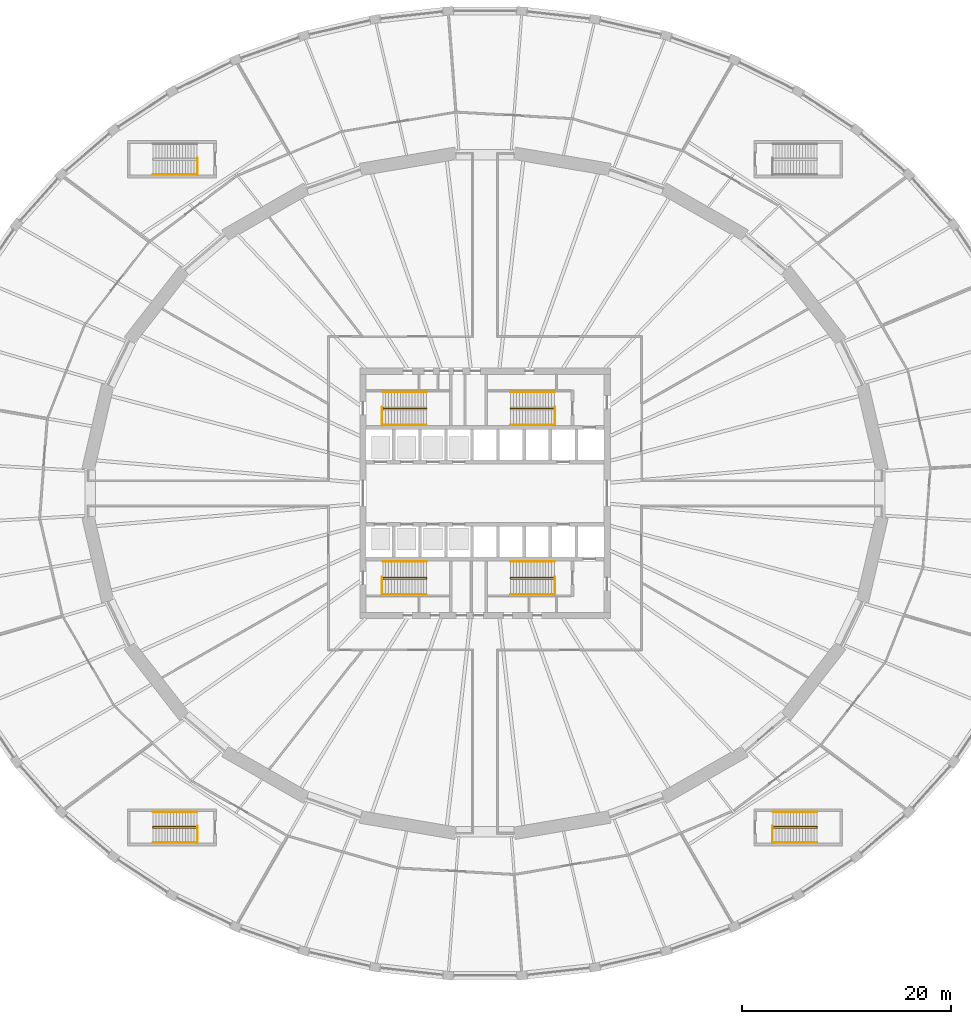
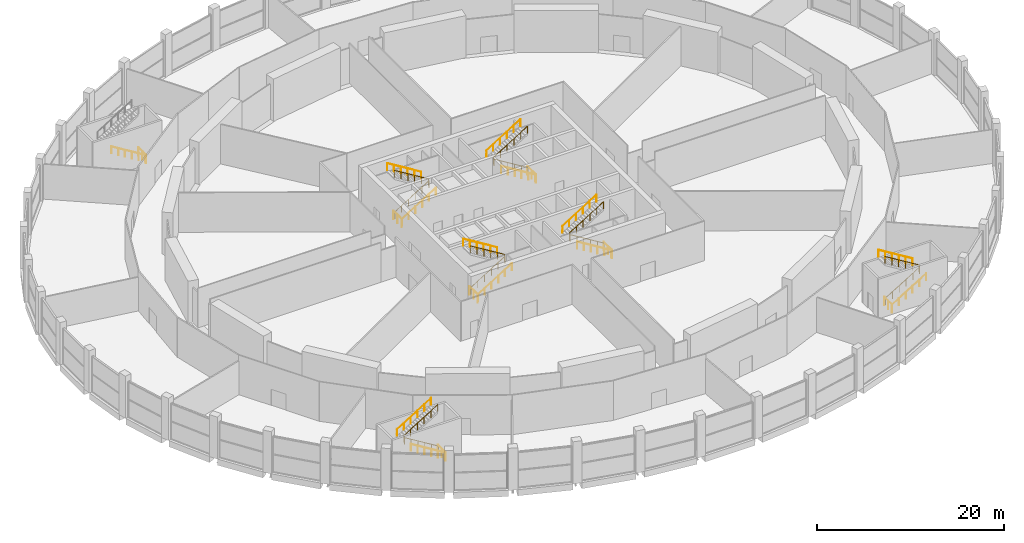
# One storey, part 27 of 29: 26 railings.
"""IFC4 building model written with IfcOpenShell, lengths in metres."""

from ifc_helpers import new_model, si_unit, direction, frame, origin, origin_2d, place, context, subcontext, project, spatial, circle, extrude, material, type_object, element, save


model = new_model("IFC4")

# Units and contexts
model_context = context("Model", 3, precision=1e-05, world=origin(), true_north=direction((0.0, 1.0)))
body_context = subcontext(model_context, "Body", "Model", "MODEL_VIEW")
ifc_project = project(units=[si_unit("LENGTHUNIT", "METRE"), si_unit("AREAUNIT", "SQUARE_METRE"), si_unit("VOLUMEUNIT", "CUBIC_METRE"), si_unit("PLANEANGLEUNIT", "RADIAN"), si_unit("MASSUNIT", "GRAM", prefix="KILO")], contexts=[model_context])

# Site, building, storey
site_placement = place(None, origin())
site = spatial("IfcSite", under=ifc_project, at=site_placement, CompositionType="ELEMENT")
building_placement = place(site_placement, origin())
building = spatial("IfcBuilding", under=site, at=building_placement, Name="Halqa Exchange Tower", CompositionType="ELEMENT")
storey_placement = place(building_placement, frame((0.0, 0.0, 12.5)))
storey = spatial("IfcBuildingStorey", under=building, at=storey_placement, Name="L02", CompositionType="ELEMENT", Elevation=12.5)

# Railings
ifc_material = material(Name="Stainless steel", Category="steel")
railing_type_1 = type_object("IfcRailingType", Name="Stair handrail 900", PredefinedType="HANDRAIL", material=ifc_material)
railing_1_placement = place(storey_placement, frame((-9.800048828125, 8.06005859375, 0.171875)))
element("IfcRailing", 1, at=railing_1_placement, inside=storey, type_object=railing_type_1, Name="Handrail ST1.1", PredefinedType="HANDRAIL", context=body_context, shape_type="SweptSolid", body=[
    extrude(circle(Radius=0.02392578125, at=origin_2d()), frame((0.0, 0.0, 0.8759765625), z_axis=(0.852242915053, 0.0, 0.523146264196), x_axis=(0.0, 1.0, 0.0)), (0.0, 0.0, 1.0), 4.92822265625),
    extrude(circle(Radius=0.02392578125, at=origin_2d()), frame((4.199951171875, 0.0, 3.4541015625), z_axis=(0.0, 0.602897214173, 0.797818869883), x_axis=(-1.0, 0.0, 0.0)), (0.0, 0.0, 1.0), 0.21533203125),
    extrude(circle(Radius=0.02392578125, at=origin_2d()), frame((4.199951171875, 0.1298828125, 3.6259765625), z_axis=(-0.852242915053, 0.0, 0.523146264196), x_axis=(0.0, -1.0, 0.0)), (0.0, 0.0, 1.0), 4.92822265625),
    extrude(circle(Radius=0.02099609375, at=origin_2d()), origin(), (0.0, 0.0, 1.0), 0.851806640625),
    extrude(circle(Radius=0.02099609375, at=origin_2d()), frame((0.840087890625, 0.0, 0.515625)), (0.0, 0.0, 1.0), 0.851806640625),
    extrude(circle(Radius=0.02099609375, at=origin_2d()), frame((1.679931640625, 0.0, 1.03125)), (0.0, 0.0, 1.0), 0.851806640625),
    extrude(circle(Radius=0.02099609375, at=origin_2d()), frame((2.52001953125, 0.0, 1.546875)), (0.0, 0.0, 1.0), 0.851806640625),
    extrude(circle(Radius=0.02099609375, at=origin_2d()), frame((3.35986328125, 0.0, 2.0625)), (0.0, 0.0, 1.0), 0.851806640625),
    extrude(circle(Radius=0.02099609375, at=origin_2d()), frame((4.199951171875, 0.0, 2.578125)), (0.0, 0.0, 1.0), 0.851806640625),
    extrude(circle(Radius=0.02099609375, at=origin_2d()), frame((4.199951171875, 0.1298828125, 2.75)), (0.0, 0.0, 1.0), 0.851806640625),
    extrude(circle(Radius=0.02099609375, at=origin_2d()), frame((3.35986328125, 0.1298828125, 3.265625)), (0.0, 0.0, 1.0), 0.851806640625),
    extrude(circle(Radius=0.02099609375, at=origin_2d()), frame((2.52001953125, 0.1298828125, 3.78125)), (0.0, 0.0, 1.0), 0.851806640625),
    extrude(circle(Radius=0.02099609375, at=origin_2d()), frame((1.679931640625, 0.1298828125, 4.296875)), (0.0, 0.0, 1.0), 0.851806640625),
    extrude(circle(Radius=0.02099609375, at=origin_2d()), frame((0.840087890625, 0.1298828125, 4.8125)), (0.0, 0.0, 1.0), 0.851806640625),
    extrude(circle(Radius=0.02099609375, at=origin_2d()), frame((0.0, 0.1298828125, 5.328125)), (0.0, 0.0, 1.0), 0.851806640625),
])
railing_2_placement = place(storey_placement, frame((-9.800048828125, 6.550048828125, 0.171875)))
element("IfcRailing", 2, at=railing_2_placement, inside=storey, type_object=railing_type_1, Name="Handrail ST1.2", PredefinedType="HANDRAIL", context=body_context, shape_type="SweptSolid", body=[
    extrude(circle(Radius=0.02392578125, at=origin_2d()), frame((0.0, 0.0, 0.8759765625), z_axis=(0.852242915053, 0.0, 0.523146264196), x_axis=(0.0, 1.0, 0.0)), (0.0, 0.0, 1.0), 4.92822265625),
    extrude(circle(Radius=0.02099609375, at=origin_2d()), origin(), (0.0, 0.0, 1.0), 0.851806640625),
    extrude(circle(Radius=0.02099609375, at=origin_2d()), frame((0.840087890625, 0.0, 0.515625)), (0.0, 0.0, 1.0), 0.851806640625),
    extrude(circle(Radius=0.02099609375, at=origin_2d()), frame((1.679931640625, 0.0, 1.03125)), (0.0, 0.0, 1.0), 0.851806640625),
    extrude(circle(Radius=0.02099609375, at=origin_2d()), frame((2.52001953125, 0.0, 1.546875)), (0.0, 0.0, 1.0), 0.851806640625),
    extrude(circle(Radius=0.02099609375, at=origin_2d()), frame((3.35986328125, 0.0, 2.0625)), (0.0, 0.0, 1.0), 0.851806640625),
    extrude(circle(Radius=0.02099609375, at=origin_2d()), frame((4.199951171875, 0.0, 2.578125)), (0.0, 0.0, 1.0), 0.851806640625),
])
railing_3_placement = place(storey_placement, frame((-5.60009765625, 9.699951171875, 2.921875)))
element("IfcRailing", 3, at=railing_3_placement, inside=storey, type_object=railing_type_1, Name="Handrail ST1.3", PredefinedType="HANDRAIL", context=body_context, shape_type="SweptSolid", body=[
    extrude(circle(Radius=0.02392578125, at=origin_2d()), frame((0.0, 0.0, 0.8759765625), z_axis=(-0.852242915053, 0.0, 0.523146264196), x_axis=(0.0, -1.0, 0.0)), (0.0, 0.0, 1.0), 4.92822265625),
    extrude(circle(Radius=0.02099609375, at=origin_2d()), origin(), (0.0, 0.0, 1.0), 0.851806640625),
    extrude(circle(Radius=0.02099609375, at=origin_2d()), frame((-0.840087890625, 0.0, 0.515625)), (0.0, 0.0, 1.0), 0.851806640625),
    extrude(circle(Radius=0.02099609375, at=origin_2d()), frame((-1.679931640625, 0.0, 1.03125)), (0.0, 0.0, 1.0), 0.851806640625),
    extrude(circle(Radius=0.02099609375, at=origin_2d()), frame((-2.52001953125, 0.0, 1.546875)), (0.0, 0.0, 1.0), 0.851806640625),
    extrude(circle(Radius=0.02099609375, at=origin_2d()), frame((-3.35986328125, 0.0, 2.0625)), (0.0, 0.0, 1.0), 0.851806640625),
    extrude(circle(Radius=0.02099609375, at=origin_2d()), frame((-4.199951171875, 0.0, 2.578125)), (0.0, 0.0, 1.0), 0.851806640625),
])
railing_4_placement = place(storey_placement, frame((6.64990234375, 8.06005859375, 0.171875)))
element("IfcRailing", 4, at=railing_4_placement, inside=storey, type_object=railing_type_1, Name="Handrail ST2.1", PredefinedType="HANDRAIL", context=body_context, shape_type="SweptSolid", body=[
    extrude(circle(Radius=0.02392578125, at=origin_2d()), frame((0.0, 0.0, 0.8759765625), z_axis=(-0.852242915053, 0.0, 0.523146264196), x_axis=(0.0, -1.0, 0.0)), (0.0, 0.0, 1.0), 4.92822265625),
    extrude(circle(Radius=0.02392578125, at=origin_2d()), frame((-4.199951171875, 0.0, 3.4541015625), z_axis=(0.0, 0.602897214173, 0.797818869883), x_axis=(-1.0, 0.0, 0.0)), (0.0, 0.0, 1.0), 0.21533203125),
    extrude(circle(Radius=0.02392578125, at=origin_2d()), frame((-4.199951171875, 0.1298828125, 3.6259765625), z_axis=(0.852242915053, 0.0, 0.523146264196), x_axis=(0.0, 1.0, 0.0)), (0.0, 0.0, 1.0), 4.92822265625),
    extrude(circle(Radius=0.02099609375, at=origin_2d()), origin(), (0.0, 0.0, 1.0), 0.851806640625),
    extrude(circle(Radius=0.02099609375, at=origin_2d()), frame((-0.840087890625, 0.0, 0.515625)), (0.0, 0.0, 1.0), 0.851806640625),
    extrude(circle(Radius=0.02099609375, at=origin_2d()), frame((-1.679931640625, 0.0, 1.03125)), (0.0, 0.0, 1.0), 0.851806640625),
    extrude(circle(Radius=0.02099609375, at=origin_2d()), frame((-2.52001953125, 0.0, 1.546875)), (0.0, 0.0, 1.0), 0.851806640625),
    extrude(circle(Radius=0.02099609375, at=origin_2d()), frame((-3.35986328125, 0.0, 2.0625)), (0.0, 0.0, 1.0), 0.851806640625),
    extrude(circle(Radius=0.02099609375, at=origin_2d()), frame((-4.199951171875, 0.0, 2.578125)), (0.0, 0.0, 1.0), 0.851806640625),
    extrude(circle(Radius=0.02099609375, at=origin_2d()), frame((-4.199951171875, 0.1298828125, 2.75)), (0.0, 0.0, 1.0), 0.851806640625),
    extrude(circle(Radius=0.02099609375, at=origin_2d()), frame((-3.35986328125, 0.1298828125, 3.265625)), (0.0, 0.0, 1.0), 0.851806640625),
    extrude(circle(Radius=0.02099609375, at=origin_2d()), frame((-2.52001953125, 0.1298828125, 3.78125)), (0.0, 0.0, 1.0), 0.851806640625),
    extrude(circle(Radius=0.02099609375, at=origin_2d()), frame((-1.679931640625, 0.1298828125, 4.296875)), (0.0, 0.0, 1.0), 0.851806640625),
    extrude(circle(Radius=0.02099609375, at=origin_2d()), frame((-0.840087890625, 0.1298828125, 4.8125)), (0.0, 0.0, 1.0), 0.851806640625),
    extrude(circle(Radius=0.02099609375, at=origin_2d()), frame((0.0, 0.1298828125, 5.328125)), (0.0, 0.0, 1.0), 0.851806640625),
])
railing_5_placement = place(storey_placement, frame((6.64990234375, 6.550048828125, 0.171875)))
element("IfcRailing", 5, at=railing_5_placement, inside=storey, type_object=railing_type_1, Name="Handrail ST2.2", PredefinedType="HANDRAIL", context=body_context, shape_type="SweptSolid", body=[
    extrude(circle(Radius=0.02392578125, at=origin_2d()), frame((0.0, 0.0, 0.8759765625), z_axis=(-0.852242915053, 0.0, 0.523146264196), x_axis=(0.0, -1.0, 0.0)), (0.0, 0.0, 1.0), 4.92822265625),
    extrude(circle(Radius=0.02099609375, at=origin_2d()), origin(), (0.0, 0.0, 1.0), 0.851806640625),
    extrude(circle(Radius=0.02099609375, at=origin_2d()), frame((-0.840087890625, 0.0, 0.515625)), (0.0, 0.0, 1.0), 0.851806640625),
    extrude(circle(Radius=0.02099609375, at=origin_2d()), frame((-1.679931640625, 0.0, 1.03125)), (0.0, 0.0, 1.0), 0.851806640625),
    extrude(circle(Radius=0.02099609375, at=origin_2d()), frame((-2.52001953125, 0.0, 1.546875)), (0.0, 0.0, 1.0), 0.851806640625),
    extrude(circle(Radius=0.02099609375, at=origin_2d()), frame((-3.35986328125, 0.0, 2.0625)), (0.0, 0.0, 1.0), 0.851806640625),
    extrude(circle(Radius=0.02099609375, at=origin_2d()), frame((-4.199951171875, 0.0, 2.578125)), (0.0, 0.0, 1.0), 0.851806640625),
])
railing_6_placement = place(storey_placement, frame((2.449951171875, 9.699951171875, 2.921875)))
element("IfcRailing", 6, at=railing_6_placement, inside=storey, type_object=railing_type_1, Name="Handrail ST2.3", PredefinedType="HANDRAIL", context=body_context, shape_type="SweptSolid", body=[
    extrude(circle(Radius=0.02392578125, at=origin_2d()), frame((0.0, 0.0, 0.8759765625), z_axis=(0.852242915053, 0.0, 0.523146264196), x_axis=(0.0, 1.0, 0.0)), (0.0, 0.0, 1.0), 4.92822265625),
    extrude(circle(Radius=0.02099609375, at=origin_2d()), origin(), (0.0, 0.0, 1.0), 0.851806640625),
    extrude(circle(Radius=0.02099609375, at=origin_2d()), frame((0.840087890625, 0.0, 0.515625)), (0.0, 0.0, 1.0), 0.851806640625),
    extrude(circle(Radius=0.02099609375, at=origin_2d()), frame((1.679931640625, 0.0, 1.03125)), (0.0, 0.0, 1.0), 0.851806640625),
    extrude(circle(Radius=0.02099609375, at=origin_2d()), frame((2.52001953125, 0.0, 1.546875)), (0.0, 0.0, 1.0), 0.851806640625),
    extrude(circle(Radius=0.02099609375, at=origin_2d()), frame((3.35986328125, 0.0, 2.0625)), (0.0, 0.0, 1.0), 0.851806640625),
    extrude(circle(Radius=0.02099609375, at=origin_2d()), frame((4.199951171875, 0.0, 2.578125)), (0.0, 0.0, 1.0), 0.851806640625),
])
railing_7_placement = place(storey_placement, frame((-9.800048828125, -8.18994140625, 0.171875)))
element("IfcRailing", 7, at=railing_7_placement, inside=storey, type_object=railing_type_1, Name="Handrail ST3.1", PredefinedType="HANDRAIL", context=body_context, shape_type="SweptSolid", body=[
    extrude(circle(Radius=0.02392578125, at=origin_2d()), frame((0.0, 0.0, 0.8759765625), z_axis=(0.852242915053, 0.0, 0.523146264196), x_axis=(0.0, 1.0, 0.0)), (0.0, 0.0, 1.0), 4.92822265625),
    extrude(circle(Radius=0.02392578125, at=origin_2d()), frame((4.199951171875, 0.0, 3.4541015625), z_axis=(0.0, 0.602897214173, 0.797818869883), x_axis=(-1.0, 0.0, 0.0)), (0.0, 0.0, 1.0), 0.21533203125),
    extrude(circle(Radius=0.02392578125, at=origin_2d()), frame((4.199951171875, 0.1298828125, 3.6259765625), z_axis=(-0.852242915053, 0.0, 0.523146264196), x_axis=(0.0, -1.0, 0.0)), (0.0, 0.0, 1.0), 4.92822265625),
    extrude(circle(Radius=0.02099609375, at=origin_2d()), origin(), (0.0, 0.0, 1.0), 0.851806640625),
    extrude(circle(Radius=0.02099609375, at=origin_2d()), frame((0.840087890625, 0.0, 0.515625)), (0.0, 0.0, 1.0), 0.851806640625),
    extrude(circle(Radius=0.02099609375, at=origin_2d()), frame((1.679931640625, 0.0, 1.03125)), (0.0, 0.0, 1.0), 0.851806640625),
    extrude(circle(Radius=0.02099609375, at=origin_2d()), frame((2.52001953125, 0.0, 1.546875)), (0.0, 0.0, 1.0), 0.851806640625),
    extrude(circle(Radius=0.02099609375, at=origin_2d()), frame((3.35986328125, 0.0, 2.0625)), (0.0, 0.0, 1.0), 0.851806640625),
    extrude(circle(Radius=0.02099609375, at=origin_2d()), frame((4.199951171875, 0.0, 2.578125)), (0.0, 0.0, 1.0), 0.851806640625),
    extrude(circle(Radius=0.02099609375, at=origin_2d()), frame((4.199951171875, 0.1298828125, 2.75)), (0.0, 0.0, 1.0), 0.851806640625),
    extrude(circle(Radius=0.02099609375, at=origin_2d()), frame((3.35986328125, 0.1298828125, 3.265625)), (0.0, 0.0, 1.0), 0.851806640625),
    extrude(circle(Radius=0.02099609375, at=origin_2d()), frame((2.52001953125, 0.1298828125, 3.78125)), (0.0, 0.0, 1.0), 0.851806640625),
    extrude(circle(Radius=0.02099609375, at=origin_2d()), frame((1.679931640625, 0.1298828125, 4.296875)), (0.0, 0.0, 1.0), 0.851806640625),
    extrude(circle(Radius=0.02099609375, at=origin_2d()), frame((0.840087890625, 0.1298828125, 4.8125)), (0.0, 0.0, 1.0), 0.851806640625),
    extrude(circle(Radius=0.02099609375, at=origin_2d()), frame((0.0, 0.1298828125, 5.328125)), (0.0, 0.0, 1.0), 0.851806640625),
])
railing_8_placement = place(storey_placement, frame((-9.800048828125, -9.699951171875, 0.171875)))
element("IfcRailing", 8, at=railing_8_placement, inside=storey, type_object=railing_type_1, Name="Handrail ST3.2", PredefinedType="HANDRAIL", context=body_context, shape_type="SweptSolid", body=[
    extrude(circle(Radius=0.02392578125, at=origin_2d()), frame((0.0, 0.0, 0.8759765625), z_axis=(0.852242915053, 0.0, 0.523146264196), x_axis=(0.0, 1.0, 0.0)), (0.0, 0.0, 1.0), 4.92822265625),
    extrude(circle(Radius=0.02099609375, at=origin_2d()), origin(), (0.0, 0.0, 1.0), 0.851806640625),
    extrude(circle(Radius=0.02099609375, at=origin_2d()), frame((0.840087890625, 0.0, 0.515625)), (0.0, 0.0, 1.0), 0.851806640625),
    extrude(circle(Radius=0.02099609375, at=origin_2d()), frame((1.679931640625, 0.0, 1.03125)), (0.0, 0.0, 1.0), 0.851806640625),
    extrude(circle(Radius=0.02099609375, at=origin_2d()), frame((2.52001953125, 0.0, 1.546875)), (0.0, 0.0, 1.0), 0.851806640625),
    extrude(circle(Radius=0.02099609375, at=origin_2d()), frame((3.35986328125, 0.0, 2.0625)), (0.0, 0.0, 1.0), 0.851806640625),
    extrude(circle(Radius=0.02099609375, at=origin_2d()), frame((4.199951171875, 0.0, 2.578125)), (0.0, 0.0, 1.0), 0.851806640625),
])
railing_9_placement = place(storey_placement, frame((-5.60009765625, -6.550048828125, 2.921875)))
element("IfcRailing", 9, at=railing_9_placement, inside=storey, type_object=railing_type_1, Name="Handrail ST3.3", PredefinedType="HANDRAIL", context=body_context, shape_type="SweptSolid", body=[
    extrude(circle(Radius=0.02392578125, at=origin_2d()), frame((0.0, 0.0, 0.8759765625), z_axis=(-0.852242915053, 0.0, 0.523146264196), x_axis=(0.0, -1.0, 0.0)), (0.0, 0.0, 1.0), 4.92822265625),
    extrude(circle(Radius=0.02099609375, at=origin_2d()), origin(), (0.0, 0.0, 1.0), 0.851806640625),
    extrude(circle(Radius=0.02099609375, at=origin_2d()), frame((-0.840087890625, 0.0, 0.515625)), (0.0, 0.0, 1.0), 0.851806640625),
    extrude(circle(Radius=0.02099609375, at=origin_2d()), frame((-1.679931640625, 0.0, 1.03125)), (0.0, 0.0, 1.0), 0.851806640625),
    extrude(circle(Radius=0.02099609375, at=origin_2d()), frame((-2.52001953125, 0.0, 1.546875)), (0.0, 0.0, 1.0), 0.851806640625),
    extrude(circle(Radius=0.02099609375, at=origin_2d()), frame((-3.35986328125, 0.0, 2.0625)), (0.0, 0.0, 1.0), 0.851806640625),
    extrude(circle(Radius=0.02099609375, at=origin_2d()), frame((-4.199951171875, 0.0, 2.578125)), (0.0, 0.0, 1.0), 0.851806640625),
])
railing_10_placement = place(storey_placement, frame((6.64990234375, -8.18994140625, 0.171875)))
element("IfcRailing", 10, at=railing_10_placement, inside=storey, type_object=railing_type_1, Name="Handrail ST4.1", PredefinedType="HANDRAIL", context=body_context, shape_type="SweptSolid", body=[
    extrude(circle(Radius=0.02392578125, at=origin_2d()), frame((0.0, 0.0, 0.8759765625), z_axis=(-0.852242915053, 0.0, 0.523146264196), x_axis=(0.0, -1.0, 0.0)), (0.0, 0.0, 1.0), 4.92822265625),
    extrude(circle(Radius=0.02392578125, at=origin_2d()), frame((-4.199951171875, 0.0, 3.4541015625), z_axis=(0.0, 0.602897214173, 0.797818869883), x_axis=(-1.0, 0.0, 0.0)), (0.0, 0.0, 1.0), 0.21533203125),
    extrude(circle(Radius=0.02392578125, at=origin_2d()), frame((-4.199951171875, 0.1298828125, 3.6259765625), z_axis=(0.852242915053, 0.0, 0.523146264196), x_axis=(0.0, 1.0, 0.0)), (0.0, 0.0, 1.0), 4.92822265625),
    extrude(circle(Radius=0.02099609375, at=origin_2d()), origin(), (0.0, 0.0, 1.0), 0.851806640625),
    extrude(circle(Radius=0.02099609375, at=origin_2d()), frame((-0.840087890625, 0.0, 0.515625)), (0.0, 0.0, 1.0), 0.851806640625),
    extrude(circle(Radius=0.02099609375, at=origin_2d()), frame((-1.679931640625, 0.0, 1.03125)), (0.0, 0.0, 1.0), 0.851806640625),
    extrude(circle(Radius=0.02099609375, at=origin_2d()), frame((-2.52001953125, 0.0, 1.546875)), (0.0, 0.0, 1.0), 0.851806640625),
    extrude(circle(Radius=0.02099609375, at=origin_2d()), frame((-3.35986328125, 0.0, 2.0625)), (0.0, 0.0, 1.0), 0.851806640625),
    extrude(circle(Radius=0.02099609375, at=origin_2d()), frame((-4.199951171875, 0.0, 2.578125)), (0.0, 0.0, 1.0), 0.851806640625),
    extrude(circle(Radius=0.02099609375, at=origin_2d()), frame((-4.199951171875, 0.1298828125, 2.75)), (0.0, 0.0, 1.0), 0.851806640625),
    extrude(circle(Radius=0.02099609375, at=origin_2d()), frame((-3.35986328125, 0.1298828125, 3.265625)), (0.0, 0.0, 1.0), 0.851806640625),
    extrude(circle(Radius=0.02099609375, at=origin_2d()), frame((-2.52001953125, 0.1298828125, 3.78125)), (0.0, 0.0, 1.0), 0.851806640625),
    extrude(circle(Radius=0.02099609375, at=origin_2d()), frame((-1.679931640625, 0.1298828125, 4.296875)), (0.0, 0.0, 1.0), 0.851806640625),
    extrude(circle(Radius=0.02099609375, at=origin_2d()), frame((-0.840087890625, 0.1298828125, 4.8125)), (0.0, 0.0, 1.0), 0.851806640625),
    extrude(circle(Radius=0.02099609375, at=origin_2d()), frame((0.0, 0.1298828125, 5.328125)), (0.0, 0.0, 1.0), 0.851806640625),
])
railing_11_placement = place(storey_placement, frame((6.64990234375, -9.699951171875, 0.171875)))
element("IfcRailing", 11, at=railing_11_placement, inside=storey, type_object=railing_type_1, Name="Handrail ST4.2", PredefinedType="HANDRAIL", context=body_context, shape_type="SweptSolid", body=[
    extrude(circle(Radius=0.02392578125, at=origin_2d()), frame((0.0, 0.0, 0.8759765625), z_axis=(-0.852242915053, 0.0, 0.523146264196), x_axis=(0.0, -1.0, 0.0)), (0.0, 0.0, 1.0), 4.92822265625),
    extrude(circle(Radius=0.02099609375, at=origin_2d()), origin(), (0.0, 0.0, 1.0), 0.851806640625),
    extrude(circle(Radius=0.02099609375, at=origin_2d()), frame((-0.840087890625, 0.0, 0.515625)), (0.0, 0.0, 1.0), 0.851806640625),
    extrude(circle(Radius=0.02099609375, at=origin_2d()), frame((-1.679931640625, 0.0, 1.03125)), (0.0, 0.0, 1.0), 0.851806640625),
    extrude(circle(Radius=0.02099609375, at=origin_2d()), frame((-2.52001953125, 0.0, 1.546875)), (0.0, 0.0, 1.0), 0.851806640625),
    extrude(circle(Radius=0.02099609375, at=origin_2d()), frame((-3.35986328125, 0.0, 2.0625)), (0.0, 0.0, 1.0), 0.851806640625),
    extrude(circle(Radius=0.02099609375, at=origin_2d()), frame((-4.199951171875, 0.0, 2.578125)), (0.0, 0.0, 1.0), 0.851806640625),
])
railing_12_placement = place(storey_placement, frame((2.449951171875, -6.550048828125, 2.921875)))
element("IfcRailing", 12, at=railing_12_placement, inside=storey, type_object=railing_type_1, Name="Handrail ST4.3", PredefinedType="HANDRAIL", context=body_context, shape_type="SweptSolid", body=[
    extrude(circle(Radius=0.02392578125, at=origin_2d()), frame((0.0, 0.0, 0.8759765625), z_axis=(0.852242915053, 0.0, 0.523146264196), x_axis=(0.0, 1.0, 0.0)), (0.0, 0.0, 1.0), 4.92822265625),
    extrude(circle(Radius=0.02099609375, at=origin_2d()), origin(), (0.0, 0.0, 1.0), 0.851806640625),
    extrude(circle(Radius=0.02099609375, at=origin_2d()), frame((0.840087890625, 0.0, 0.515625)), (0.0, 0.0, 1.0), 0.851806640625),
    extrude(circle(Radius=0.02099609375, at=origin_2d()), frame((1.679931640625, 0.0, 1.03125)), (0.0, 0.0, 1.0), 0.851806640625),
    extrude(circle(Radius=0.02099609375, at=origin_2d()), frame((2.52001953125, 0.0, 1.546875)), (0.0, 0.0, 1.0), 0.851806640625),
    extrude(circle(Radius=0.02099609375, at=origin_2d()), frame((3.35986328125, 0.0, 2.0625)), (0.0, 0.0, 1.0), 0.851806640625),
    extrude(circle(Radius=0.02099609375, at=origin_2d()), frame((4.199951171875, 0.0, 2.578125)), (0.0, 0.0, 1.0), 0.851806640625),
])
railing_13_placement = place(storey_placement, frame((27.60009765625, -32.06494140625, 0.171875)))
element("IfcRailing", 13, at=railing_13_placement, inside=storey, type_object=railing_type_1, Name="Handrail PS2.1", PredefinedType="HANDRAIL", context=body_context, shape_type="SweptSolid", body=[
    extrude(circle(Radius=0.02392578125, at=origin_2d()), frame((0.0, 0.0, 0.8759765625), z_axis=(0.852242915053, 0.0, 0.523146264196), x_axis=(0.0, 1.0, 0.0)), (0.0, 0.0, 1.0), 4.92822265625),
    extrude(circle(Radius=0.02392578125, at=origin_2d()), frame((4.199951171875, 0.0, 3.4541015625), z_axis=(0.0, 0.602897214173, 0.797818869883), x_axis=(-1.0, 0.0, 0.0)), (0.0, 0.0, 1.0), 0.21533203125),
    extrude(circle(Radius=0.02392578125, at=origin_2d()), frame((4.199951171875, 0.1298828125, 3.6259765625), z_axis=(-0.852242915053, 0.0, 0.523146264196), x_axis=(0.0, -1.0, 0.0)), (0.0, 0.0, 1.0), 4.92822265625),
    extrude(circle(Radius=0.02099609375, at=origin_2d()), origin(), (0.0, 0.0, 1.0), 0.851806640625),
    extrude(circle(Radius=0.02099609375, at=origin_2d()), frame((0.840087890625, 0.0, 0.515625)), (0.0, 0.0, 1.0), 0.851806640625),
    extrude(circle(Radius=0.02099609375, at=origin_2d()), frame((1.679931640625, 0.0, 1.03125)), (0.0, 0.0, 1.0), 0.851806640625),
    extrude(circle(Radius=0.02099609375, at=origin_2d()), frame((2.52001953125, 0.0, 1.546875)), (0.0, 0.0, 1.0), 0.851806640625),
    extrude(circle(Radius=0.02099609375, at=origin_2d()), frame((3.35986328125, 0.0, 2.0625)), (0.0, 0.0, 1.0), 0.851806640625),
    extrude(circle(Radius=0.02099609375, at=origin_2d()), frame((4.199951171875, 0.0, 2.578125)), (0.0, 0.0, 1.0), 0.851806640625),
    extrude(circle(Radius=0.02099609375, at=origin_2d()), frame((4.199951171875, 0.1298828125, 2.75)), (0.0, 0.0, 1.0), 0.851806640625),
    extrude(circle(Radius=0.02099609375, at=origin_2d()), frame((3.35986328125, 0.1298828125, 3.265625)), (0.0, 0.0, 1.0), 0.851806640625),
    extrude(circle(Radius=0.02099609375, at=origin_2d()), frame((2.52001953125, 0.1298828125, 3.78125)), (0.0, 0.0, 1.0), 0.851806640625),
    extrude(circle(Radius=0.02099609375, at=origin_2d()), frame((1.679931640625, 0.1298828125, 4.296875)), (0.0, 0.0, 1.0), 0.851806640625),
    extrude(circle(Radius=0.02099609375, at=origin_2d()), frame((0.840087890625, 0.1298828125, 4.8125)), (0.0, 0.0, 1.0), 0.851806640625),
    extrude(circle(Radius=0.02099609375, at=origin_2d()), frame((0.0, 0.1298828125, 5.328125)), (0.0, 0.0, 1.0), 0.851806640625),
])
railing_14_placement = place(storey_placement, frame((27.60009765625, -33.47509765625, 0.171875)))
element("IfcRailing", 14, at=railing_14_placement, inside=storey, type_object=railing_type_1, Name="Handrail PS2.2", PredefinedType="HANDRAIL", context=body_context, shape_type="SweptSolid", body=[
    extrude(circle(Radius=0.02392578125, at=origin_2d()), frame((0.0, 0.0, 0.8759765625), z_axis=(0.852242915053, 0.0, 0.523146264196), x_axis=(0.0, 1.0, 0.0)), (0.0, 0.0, 1.0), 4.92822265625),
    extrude(circle(Radius=0.02099609375, at=origin_2d()), origin(), (0.0, 0.0, 1.0), 0.851806640625),
    extrude(circle(Radius=0.02099609375, at=origin_2d()), frame((0.840087890625, 0.0, 0.515625)), (0.0, 0.0, 1.0), 0.851806640625),
    extrude(circle(Radius=0.02099609375, at=origin_2d()), frame((1.679931640625, 0.0, 1.03125)), (0.0, 0.0, 1.0), 0.851806640625),
    extrude(circle(Radius=0.02099609375, at=origin_2d()), frame((2.52001953125, 0.0, 1.546875)), (0.0, 0.0, 1.0), 0.851806640625),
    extrude(circle(Radius=0.02099609375, at=origin_2d()), frame((3.35986328125, 0.0, 2.0625)), (0.0, 0.0, 1.0), 0.851806640625),
    extrude(circle(Radius=0.02099609375, at=origin_2d()), frame((4.199951171875, 0.0, 2.578125)), (0.0, 0.0, 1.0), 0.851806640625),
])
for number, where, name in (
    (15, (31.800048828125, -30.52490234375, 2.921875), "Handrail PS2.3"),
    (16, (-27.60009765625, 30.52490234375, 0.171875), "Handrail PS3.2"),
):
    element("IfcRailing", number, at=place(storey_placement, frame(where)), inside=storey, type_object=railing_type_1, Name=name, PredefinedType="HANDRAIL", context=body_context, shape_type="SweptSolid", body=[
        extrude(circle(Radius=0.02392578125, at=origin_2d()), frame((0.0, 0.0, 0.8759765625), z_axis=(-0.852242915053, 0.0, 0.523146264196), x_axis=(0.0, -1.0, 0.0)), (0.0, 0.0, 1.0), 4.92822265625),
        extrude(circle(Radius=0.02099609375, at=origin_2d()), origin(), (0.0, 0.0, 1.0), 0.851806640625),
        extrude(circle(Radius=0.02099609375, at=origin_2d()), frame((-0.840087890625, 0.0, 0.515625)), (0.0, 0.0, 1.0), 0.851806640625),
        extrude(circle(Radius=0.02099609375, at=origin_2d()), frame((-1.679931640625, 0.0, 1.03125)), (0.0, 0.0, 1.0), 0.851806640625),
        extrude(circle(Radius=0.02099609375, at=origin_2d()), frame((-2.52001953125, 0.0, 1.546875)), (0.0, 0.0, 1.0), 0.851806640625),
        extrude(circle(Radius=0.02099609375, at=origin_2d()), frame((-3.35986328125, 0.0, 2.0625)), (0.0, 0.0, 1.0), 0.851806640625),
        extrude(circle(Radius=0.02099609375, at=origin_2d()), frame((-4.199951171875, 0.0, 2.578125)), (0.0, 0.0, 1.0), 0.851806640625),
    ])
railing_15_placement = place(storey_placement, frame((-27.60009765625, -32.06494140625, 0.171875)))
element("IfcRailing", 17, at=railing_15_placement, inside=storey, type_object=railing_type_1, Name="Handrail PS4.1", PredefinedType="HANDRAIL", context=body_context, shape_type="SweptSolid", body=[
    extrude(circle(Radius=0.02392578125, at=origin_2d()), frame((0.0, 0.0, 0.8759765625), z_axis=(-0.852242915053, 0.0, 0.523146264196), x_axis=(0.0, -1.0, 0.0)), (0.0, 0.0, 1.0), 4.92822265625),
    extrude(circle(Radius=0.02392578125, at=origin_2d()), frame((-4.199951171875, 0.0, 3.4541015625), z_axis=(0.0, 0.602897214173, 0.797818869883), x_axis=(-1.0, 0.0, 0.0)), (0.0, 0.0, 1.0), 0.21533203125),
    extrude(circle(Radius=0.02392578125, at=origin_2d()), frame((-4.199951171875, 0.1298828125, 3.6259765625), z_axis=(0.852242915053, 0.0, 0.523146264196), x_axis=(0.0, 1.0, 0.0)), (0.0, 0.0, 1.0), 4.92822265625),
    extrude(circle(Radius=0.02099609375, at=origin_2d()), origin(), (0.0, 0.0, 1.0), 0.851806640625),
    extrude(circle(Radius=0.02099609375, at=origin_2d()), frame((-0.840087890625, 0.0, 0.515625)), (0.0, 0.0, 1.0), 0.851806640625),
    extrude(circle(Radius=0.02099609375, at=origin_2d()), frame((-1.679931640625, 0.0, 1.03125)), (0.0, 0.0, 1.0), 0.851806640625),
    extrude(circle(Radius=0.02099609375, at=origin_2d()), frame((-2.52001953125, 0.0, 1.546875)), (0.0, 0.0, 1.0), 0.851806640625),
    extrude(circle(Radius=0.02099609375, at=origin_2d()), frame((-3.35986328125, 0.0, 2.0625)), (0.0, 0.0, 1.0), 0.851806640625),
    extrude(circle(Radius=0.02099609375, at=origin_2d()), frame((-4.199951171875, 0.0, 2.578125)), (0.0, 0.0, 1.0), 0.851806640625),
    extrude(circle(Radius=0.02099609375, at=origin_2d()), frame((-4.199951171875, 0.1298828125, 2.75)), (0.0, 0.0, 1.0), 0.851806640625),
    extrude(circle(Radius=0.02099609375, at=origin_2d()), frame((-3.35986328125, 0.1298828125, 3.265625)), (0.0, 0.0, 1.0), 0.851806640625),
    extrude(circle(Radius=0.02099609375, at=origin_2d()), frame((-2.52001953125, 0.1298828125, 3.78125)), (0.0, 0.0, 1.0), 0.851806640625),
    extrude(circle(Radius=0.02099609375, at=origin_2d()), frame((-1.679931640625, 0.1298828125, 4.296875)), (0.0, 0.0, 1.0), 0.851806640625),
    extrude(circle(Radius=0.02099609375, at=origin_2d()), frame((-0.840087890625, 0.1298828125, 4.8125)), (0.0, 0.0, 1.0), 0.851806640625),
    extrude(circle(Radius=0.02099609375, at=origin_2d()), frame((0.0, 0.1298828125, 5.328125)), (0.0, 0.0, 1.0), 0.851806640625),
])
railing_16_placement = place(storey_placement, frame((-27.60009765625, -33.47509765625, 0.171875)))
element("IfcRailing", 18, at=railing_16_placement, inside=storey, type_object=railing_type_1, Name="Handrail PS4.2", PredefinedType="HANDRAIL", context=body_context, shape_type="SweptSolid", body=[
    extrude(circle(Radius=0.02392578125, at=origin_2d()), frame((0.0, 0.0, 0.8759765625), z_axis=(-0.852242915053, 0.0, 0.523146264196), x_axis=(0.0, -1.0, 0.0)), (0.0, 0.0, 1.0), 4.92822265625),
    extrude(circle(Radius=0.02099609375, at=origin_2d()), origin(), (0.0, 0.0, 1.0), 0.851806640625),
    extrude(circle(Radius=0.02099609375, at=origin_2d()), frame((-0.840087890625, 0.0, 0.515625)), (0.0, 0.0, 1.0), 0.851806640625),
    extrude(circle(Radius=0.02099609375, at=origin_2d()), frame((-1.679931640625, 0.0, 1.03125)), (0.0, 0.0, 1.0), 0.851806640625),
    extrude(circle(Radius=0.02099609375, at=origin_2d()), frame((-2.52001953125, 0.0, 1.546875)), (0.0, 0.0, 1.0), 0.851806640625),
    extrude(circle(Radius=0.02099609375, at=origin_2d()), frame((-3.35986328125, 0.0, 2.0625)), (0.0, 0.0, 1.0), 0.851806640625),
    extrude(circle(Radius=0.02099609375, at=origin_2d()), frame((-4.199951171875, 0.0, 2.578125)), (0.0, 0.0, 1.0), 0.851806640625),
])
railing_17_placement = place(storey_placement, frame((-31.800048828125, -30.52490234375, 2.921875)))
element("IfcRailing", 19, at=railing_17_placement, inside=storey, type_object=railing_type_1, Name="Handrail PS4.3", PredefinedType="HANDRAIL", context=body_context, shape_type="SweptSolid", body=[
    extrude(circle(Radius=0.02392578125, at=origin_2d()), frame((0.0, 0.0, 0.8759765625), z_axis=(0.852242915053, 0.0, 0.523146264196), x_axis=(0.0, 1.0, 0.0)), (0.0, 0.0, 1.0), 4.92822265625),
    extrude(circle(Radius=0.02099609375, at=origin_2d()), origin(), (0.0, 0.0, 1.0), 0.851806640625),
    extrude(circle(Radius=0.02099609375, at=origin_2d()), frame((0.840087890625, 0.0, 0.515625)), (0.0, 0.0, 1.0), 0.851806640625),
    extrude(circle(Radius=0.02099609375, at=origin_2d()), frame((1.679931640625, 0.0, 1.03125)), (0.0, 0.0, 1.0), 0.851806640625),
    extrude(circle(Radius=0.02099609375, at=origin_2d()), frame((2.52001953125, 0.0, 1.546875)), (0.0, 0.0, 1.0), 0.851806640625),
    extrude(circle(Radius=0.02099609375, at=origin_2d()), frame((3.35986328125, 0.0, 2.0625)), (0.0, 0.0, 1.0), 0.851806640625),
    extrude(circle(Radius=0.02099609375, at=origin_2d()), frame((4.199951171875, 0.0, 2.578125)), (0.0, 0.0, 1.0), 0.851806640625),
])
railing_type_2 = type_object("IfcRailingType", Name="Stair well guard 1100", PredefinedType="GUARDRAIL", material=ifc_material)
for number, where, name in (
    (20, (-9.85009765625, 6.5, 0.0), "Guard ST1 well"),
    (21, (6.699951171875, 6.5, 0.0), "Guard ST2 well"),
    (22, (-9.85009765625, -9.75, 0.0), "Guard ST3 well"),
    (23, (6.699951171875, -9.75, 0.0), "Guard ST4 well"),
):
    element("IfcRailing", number, at=place(storey_placement, frame(where)), inside=storey, type_object=railing_type_2, Name=name, PredefinedType="GUARDRAIL", context=body_context, shape_type="SweptSolid", body=[
        extrude(circle(Radius=0.02392578125, at=origin_2d()), frame((0.0, 0.0, 1.076171875), z_axis=(0.0, 1.0, 0.0), x_axis=(-1.0, 0.0, 0.0)), (0.0, 0.0, 1.0), 1.75),
        extrude(circle(Radius=0.02099609375, at=origin_2d()), origin(), (0.0, 0.0, 1.0), 1.052001953125),
        extrude(circle(Radius=0.02099609375, at=origin_2d()), frame((0.0, 0.875, 0.0)), (0.0, 0.0, 1.0), 1.052001953125),
        extrude(circle(Radius=0.02099609375, at=origin_2d()), frame((0.0, 1.75, 0.0)), (0.0, 0.0, 1.0), 1.052001953125),
    ])
for number, where, name in (
    (24, (27.550048828125, -33.52490234375, 0.0), "Guard PS2 well"),
    (25, (-27.550048828125, 30.47509765625, 0.0), "Guard PS3 well"),
    (26, (-27.550048828125, -33.52490234375, 0.0), "Guard PS4 well"),
):
    element("IfcRailing", number, at=place(storey_placement, frame(where)), inside=storey, type_object=railing_type_2, Name=name, PredefinedType="GUARDRAIL", context=body_context, shape_type="SweptSolid", body=[
        extrude(circle(Radius=0.02392578125, at=origin_2d()), frame((0.0, 0.0, 1.076171875), z_axis=(0.0, 1.0, 0.0), x_axis=(-1.0, 0.0, 0.0)), (0.0, 0.0, 1.0), 1.64990234375),
        extrude(circle(Radius=0.02099609375, at=origin_2d()), origin(), (0.0, 0.0, 1.0), 1.052001953125),
        extrude(circle(Radius=0.02099609375, at=origin_2d()), frame((0.0, 0.824951171875, 0.0)), (0.0, 0.0, 1.0), 1.052001953125),
        extrude(circle(Radius=0.02099609375, at=origin_2d()), frame((0.0, 1.64990234375, 0.0)), (0.0, 0.0, 1.0), 1.052001953125),
    ])

save(model, "model.ifc")
